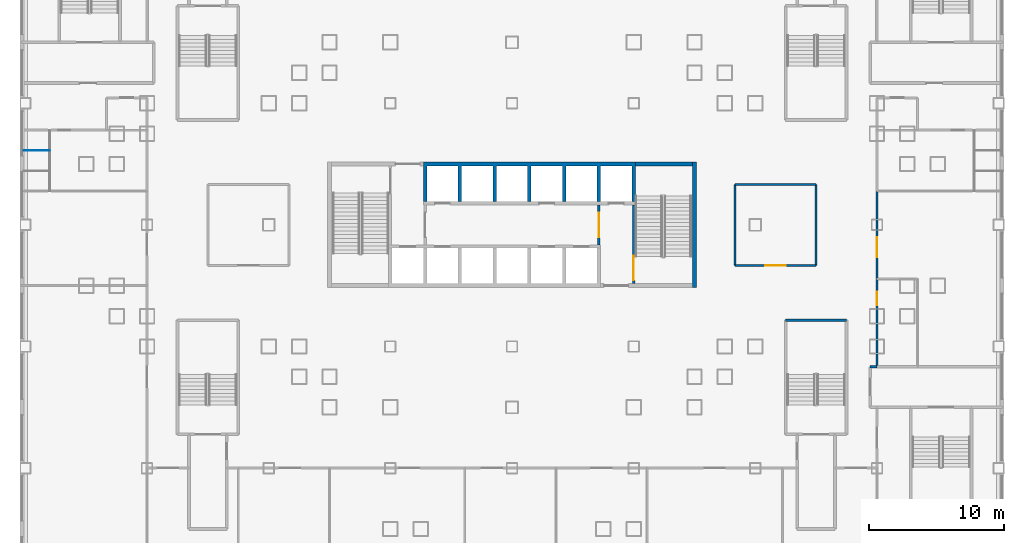
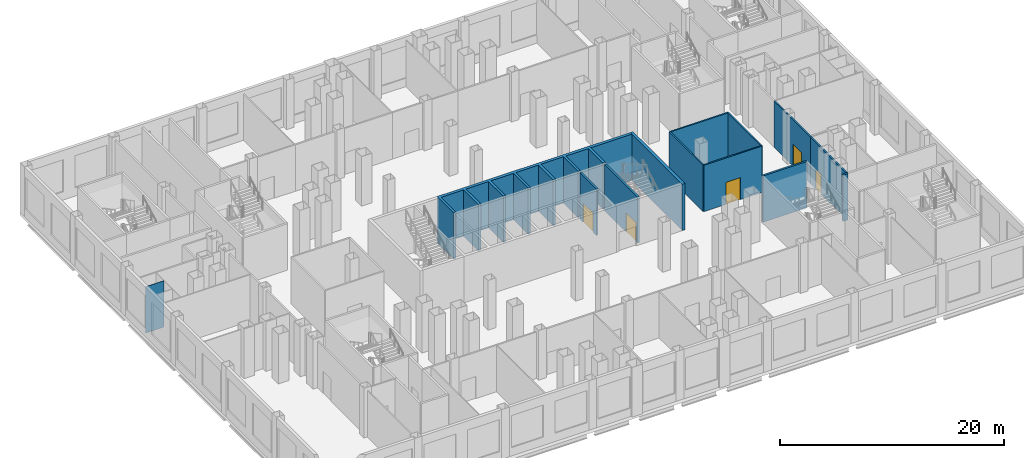
# One storey, part 5 of 27: 14 walls, 5 doors, 5 openings.
"""IFC4 building model written with IfcOpenShell, lengths in metres."""

from ifc_helpers import new_model, si_unit, direction, frame, frame_2d, origin, place, context, subcontext, project, spatial, polyline, rectangle, outline, extrude, material, layer, layer_set, type_object, element, fill, save


model = new_model("IFC4")

# Units and contexts
model_context = context("Model", 3, precision=1e-05, world=origin(), true_north=direction((0.0, 1.0)))
body_context = subcontext(model_context, "Body", "Model", "MODEL_VIEW")
ifc_project = project(units=[si_unit("LENGTHUNIT", "METRE"), si_unit("AREAUNIT", "SQUARE_METRE"), si_unit("VOLUMEUNIT", "CUBIC_METRE"), si_unit("PLANEANGLEUNIT", "RADIAN"), si_unit("MASSUNIT", "GRAM", prefix="KILO")], contexts=[model_context])

# Site, building, storey
site_placement = place(None, origin())
site = spatial("IfcSite", under=ifc_project, at=site_placement, CompositionType="ELEMENT")
building_placement = place(site_placement, origin())
building = spatial("IfcBuilding", under=site, at=building_placement, Name="Caravel Reach Hotel and Residences", CompositionType="ELEMENT")
storey_placement = place(building_placement, frame((0.0, 0.0, 6.60009765625)))
storey = spatial("IfcBuildingStorey", under=building, at=storey_placement, Name="L01", CompositionType="ELEMENT", Elevation=6.60009765625)

# Walls
ifc_material_1 = material(Name="Autoclaved aerated block wall")
ifc_layer_1 = layer(ifc_material_1, 0.199951171875)
ifc_layer_set_1 = layer_set([ifc_layer_1], Name="Compartment wall 200 mm EI 120")
wall_type_1 = type_object("IfcWallType", Name="Compartment wall 200 mm EI 120", PredefinedType="PARTITIONING", material=ifc_layer_set_1)
wall_1_placement = place(storey_placement, frame((58.0, 16.5, 0.0), z_axis=(0.0, 0.0, 1.0), x_axis=(1.0, 0.0, 0.0)))
element("IfcWall", 1, at=wall_1_placement, inside=storey, type_object=wall_type_1, Name="L01 wall w062", PredefinedType="PARTITIONING", context=body_context, shape_type="SweptSolid", body=[
    extrude(rectangle(XDim=0.5, YDim=0.199951171875, at=frame_2d((0.25, 0.0))), origin(), (0.0, 0.0, 1.0), 5.0498046875),
])
ifc_material_2 = material(Name="Concrete C60", Category="concrete")
ifc_layer_2 = layer(ifc_material_2, 0.300048828125)
ifc_layer_set_2 = layer_set([ifc_layer_2], Name="Core wall 300 mm EI 120")
wall_type_2 = type_object("IfcWallType", Name="Core wall 300 mm EI 120", PredefinedType="SHEAR", material=ifc_layer_set_2)
wall_2_placement = place(storey_placement, frame((40.625, 31.5, 0.0), z_axis=(0.0, 0.0, 1.0), x_axis=(1.0, 0.0, 0.0)))
element("IfcWall", 2, at=wall_2_placement, inside=storey, type_object=wall_type_2, Name="L01 core wall N2", PredefinedType="SHEAR", context=body_context, shape_type="SweptSolid", body=[
    extrude(rectangle(XDim=4.22509765625, YDim=0.300048828125, at=frame_2d((2.112548828125, 0.0))), origin(), (0.0, 0.0, 1.0), 5.0498046875),
])
wall_3_placement = place(storey_placement, frame((45.0, 22.35009765625, 0.0), z_axis=(0.0, 0.0, 1.0), x_axis=(0.0, 1.0, 0.0)))
element("IfcWall", 3, at=wall_3_placement, inside=storey, type_object=wall_type_2, Name="L01 core wall E", PredefinedType="SHEAR", context=body_context, shape_type="SweptSolid", body=[
    extrude(rectangle(XDim=9.2998046875, YDim=0.300048828125, at=frame_2d((4.64990234375, 0.0))), origin(), (0.0, 0.0, 1.0), 5.0498046875),
])

# Wall, opening, door
ifc_material_3 = material(Name="Gypsum board on steel stud, fire-rated", Category="steel")
ifc_layer_3 = layer(ifc_material_3, 0.14990234375)
ifc_layer_set_3 = layer_set([ifc_layer_3], Name="Corridor wall 150 mm EI 60")
wall_type_3 = type_object("IfcWallType", Name="Corridor wall 150 mm EI 60", PredefinedType="PARTITIONING", material=ifc_layer_set_3)
wall_4_placement = place(storey_placement, frame((48.0, 24.0, 0.0), z_axis=(0.0, 0.0, 1.0), x_axis=(1.0, 0.0, 0.0)))
wall_4 = element("IfcWall", 4, at=wall_4_placement, inside=storey, type_object=wall_type_3, Name="L01 wall w002", PredefinedType="PARTITIONING", context=body_context, shape_type="SweptSolid", body=[
    extrude(rectangle(XDim=6.0, YDim=0.14990234375, at=frame_2d((3.0, 0.0))), origin(), (0.0, 0.0, 1.0), 5.0498046875),
])
opening_1_placement = place(wall_4_placement, frame((2.25, 0.0, 0.0)))
opening_1 = element("IfcOpeningElement", 5, at=opening_1_placement, cuts=wall_4, Name="Opening D01-052", PredefinedType="OPENING", context=body_context, shape_type="SweptSolid", body=[
    extrude(rectangle(XDim=1.5, YDim=2.39990234375, at=frame_2d((0.75, 1.199951171875))), frame((0.0, 0.0849609375, 0.0), z_axis=(0.0, -1.0, 0.0), x_axis=(1.0, 0.0, 0.0)), (0.0, 0.0, 1.0), 0.169921875),
])
ifc_material_4 = material(Name="Timber and steel door leaf", Category="steel")
door_type_1 = type_object("IfcDoorType", Name="Shopfront door 1500 x 2400", OperationType="DOUBLE_DOOR_SINGLE_SWING", PredefinedType="DOOR", material=ifc_material_4)
door_1_placement = place(opening_1_placement, origin())
door_1 = element("IfcDoor", 6, at=door_1_placement, inside=storey, type_object=door_type_1, Name="door D01-052", OperationType="DOUBLE_DOOR_SINGLE_SWING", OverallHeight=2.39990234375, OverallWidth=1.5, PredefinedType="DOOR", context=body_context, shape_type="SweptSolid", body=[
    extrude(rectangle(XDim=1.5, YDim=2.39990234375, at=frame_2d((0.75, 1.199951171875))), frame((0.0, 0.02490234375, 0.0), z_axis=(0.0, -1.0, 0.0), x_axis=(1.0, 0.0, 0.0)), (0.0, 0.0, 1.0), 0.050048828125),
])
fill(opening_1, door_1)

# Walls
for number, where, z_axis, x_axis, name in (
    (7, (48.0, 30.0, 0.0), (0.0, 0.0, 1.0), (1.0, 0.0, 0.0), "L01 wall w004"),
    (8, (48.0, 24.0, 0.0), (0.0, 0.0, 1.0), (0.0, 1.0, 0.0), "L01 wall w030"),
    (9, (54.0, 24.0, 0.0), (0.0, 0.0, 1.0), (0.0, 1.0, 0.0), "L01 wall w031"),
):
    element("IfcWall", number, at=place(storey_placement, frame(where, z_axis=z_axis, x_axis=x_axis)), inside=storey, type_object=wall_type_3, Name=name, PredefinedType="PARTITIONING", context=body_context, shape_type="SweptSolid", body=[
        extrude(rectangle(XDim=6.0, YDim=0.14990234375, at=frame_2d((3.0, 0.0))), origin(), (0.0, 0.0, 1.0), 5.0498046875),
    ])

# Wall, opening, door
wall_5_placement = place(storey_placement, frame((58.5, 16.5, 0.0), z_axis=(0.0, 0.0, 1.0), x_axis=(0.0, 1.0, 0.0)))
wall_5 = element("IfcWall", 10, at=wall_5_placement, inside=storey, type_object=wall_type_3, Name="L01 wall w032", PredefinedType="PARTITIONING", context=body_context, shape_type="SweptSolid", body=[
    extrude(rectangle(XDim=6.5, YDim=0.14990234375, at=frame_2d((3.25, 0.0))), origin(), (0.0, 0.0, 1.0), 5.0498046875),
])
opening_2_placement = place(wall_5_placement, frame((4.550048828125, 0.0, 0.0)))
opening_2 = element("IfcOpeningElement", 11, at=opening_2_placement, cuts=wall_5, Name="Opening D01-028", PredefinedType="OPENING", context=body_context, shape_type="SweptSolid", body=[
    extrude(rectangle(XDim=1.0, YDim=2.10009765625, at=frame_2d((0.5, 1.050048828125))), frame((0.0, 0.0849609375, 0.0), z_axis=(0.0, -1.0, 0.0), x_axis=(1.0, 0.0, 0.0)), (0.0, 0.0, 1.0), 0.169921875),
])
ifc_material_5 = material(Name="Steel fire door leaf", Category="steel")
door_type_2 = type_object("IfcDoorType", Name="Fire door 1000 x 2100 EI 60", OperationType="SINGLE_SWING_LEFT", PredefinedType="DOOR", material=ifc_material_5)
door_2_placement = place(opening_2_placement, origin())
door_2 = element("IfcDoor", 12, at=door_2_placement, inside=storey, type_object=door_type_2, Name="door D01-028", OperationType="SINGLE_SWING_RIGHT", OverallHeight=2.10009765625, OverallWidth=1.0, PredefinedType="DOOR", context=body_context, shape_type="SweptSolid", body=[
    extrude(rectangle(XDim=1.0, YDim=2.10009765625, at=frame_2d((0.5, 1.050048828125))), frame((0.0, 0.02490234375, 0.0), z_axis=(0.0, -1.0, 0.0), x_axis=(1.0, 0.0, 0.0)), (0.0, 0.0, 1.0), 0.050048828125),
])
fill(opening_2, door_2)

wall_6_placement = place(storey_placement, frame((58.5, 23.0, 0.0), z_axis=(0.0, 0.0, 1.0), x_axis=(0.0, 1.0, 0.0)))
wall_6 = element("IfcWall", 13, at=wall_6_placement, inside=storey, type_object=wall_type_3, Name="L01 wall w034", PredefinedType="PARTITIONING", context=body_context, shape_type="SweptSolid", body=[
    extrude(rectangle(XDim=6.5, YDim=0.14990234375, at=frame_2d((3.25, 0.0))), origin(), (0.0, 0.0, 1.0), 5.0498046875),
])
opening_3_placement = place(wall_6_placement, frame((1.60009765625, 0.0, 0.0)))
opening_3 = element("IfcOpeningElement", 14, at=opening_3_placement, cuts=wall_6, Name="Opening D01-035", PredefinedType="OPENING", context=body_context, shape_type="SweptSolid", body=[
    extrude(rectangle(XDim=1.5, YDim=2.39990234375, at=frame_2d((0.75, 1.199951171875))), frame((0.0, 0.0849609375, 0.0), z_axis=(0.0, -1.0, 0.0), x_axis=(1.0, 0.0, 0.0)), (0.0, 0.0, 1.0), 0.169921875),
])
door_3_placement = place(opening_3_placement, origin())
door_3 = element("IfcDoor", 15, at=door_3_placement, inside=storey, type_object=door_type_1, Name="door D01-035", OperationType="DOUBLE_DOOR_SINGLE_SWING", OverallHeight=2.39990234375, OverallWidth=1.5, PredefinedType="DOOR", context=body_context, shape_type="SweptSolid", body=[
    extrude(rectangle(XDim=1.5, YDim=2.39990234375, at=frame_2d((0.75, 1.199951171875))), frame((0.0, 0.02490234375, 0.0), z_axis=(0.0, -1.0, 0.0), x_axis=(1.0, 0.0, 0.0)), (0.0, 0.0, 1.0), 0.050048828125),
])
fill(opening_3, door_3)

ifc_material_6 = material(Name="Autoclaved aerated block wall")
ifc_layer_4 = layer(ifc_material_6, 0.199951171875)
ifc_layer_set_4 = layer_set([ifc_layer_4], Name="Fire lobby wall 200 mm EI 120")
wall_type_4 = type_object("IfcWallType", Name="Fire lobby wall 200 mm EI 120", PredefinedType="PARTITIONING", material=ifc_layer_set_4)
wall_7_placement = place(storey_placement, frame((37.928466796875, 25.52490234375, 0.0), z_axis=(0.0, 0.0, 1.0), x_axis=(0.0, 1.0, 0.0)))
wall_7 = element("IfcWall", 16, at=wall_7_placement, inside=storey, type_object=wall_type_4, Name="L01 lobby E wall", PredefinedType="PARTITIONING", context=body_context, shape_type="SweptSolid", body=[
    extrude(rectangle(XDim=2.9501953125, YDim=0.199951171875, at=frame_2d((1.47509765625, 0.0))), origin(), (0.0, 0.0, 1.0), 5.0498046875),
])
opening_4_placement = place(wall_7_placement, frame((0.574951171875, 0.0, 0.0)))
opening_4 = element("IfcOpeningElement", 17, at=opening_4_placement, cuts=wall_7, Name="Opening D01-011", PredefinedType="OPENING", context=body_context, shape_type="SweptSolid", body=[
    extrude(rectangle(XDim=1.800048828125, YDim=2.10009765625, at=frame_2d((0.89990234375, 1.050048828125))), frame((0.0, 0.10986328125, 0.0), z_axis=(0.0, -1.0, 0.0), x_axis=(1.0, 0.0, 0.0)), (0.0, 0.0, 1.0), 0.219970703125),
])
ifc_material_7 = material(Name="Steel fire door leaf", Category="steel")
door_type_3 = type_object("IfcDoorType", Name="Fire lobby door pair 1800 x 2100 EI 90", OperationType="DOUBLE_DOOR_SINGLE_SWING", PredefinedType="DOOR", material=ifc_material_7)
door_4_placement = place(opening_4_placement, origin())
door_4 = element("IfcDoor", 18, at=door_4_placement, inside=storey, type_object=door_type_3, Name="lobby E door pair", OperationType="DOUBLE_DOOR_SINGLE_SWING", OverallHeight=2.10009765625, OverallWidth=1.800048828125, PredefinedType="DOOR", context=body_context, shape_type="SweptSolid", body=[
    extrude(rectangle(XDim=1.800048828125, YDim=2.10009765625, at=frame_2d((0.89990234375, 1.050048828125))), frame((0.0, 0.02490234375, 0.0), z_axis=(0.0, -1.0, 0.0), x_axis=(1.0, 0.0, 0.0)), (0.0, 0.0, 1.0), 0.050048828125),
])
fill(opening_4, door_4)

# Wall
ifc_material_8 = material(Name="Concrete C60", Category="concrete")
ifc_layer_5 = layer(ifc_material_8, 0.25)
ifc_layer_set_5 = layer_set([ifc_layer_5], Name="Shaft wall 250 mm EI 120")
wall_type_5 = type_object("IfcWallType", Name="Shaft wall 250 mm EI 120", PredefinedType="SHEAR", material=ifc_layer_set_5)
wall_8_placement = place(storey_placement, origin())
element("IfcWall", 19, at=wall_8_placement, inside=storey, type_object=wall_type_5, Name="L01 lift shaft wall N1", PredefinedType="SHEAR", context=body_context, shape_type="SweptSolid", body=[
    extrude(outline(polyline([(24.946533203125, 28.72509765625), (25.196533203125, 28.72509765625), (25.196533203125, 31.35009765625), (27.517822265625, 31.35009765625), (27.517822265625, 28.72509765625), (27.767822265625, 28.72509765625), (27.767822265625, 31.35009765625), (30.08935546875, 31.35009765625), (30.08935546875, 28.72509765625), (30.33935546875, 28.72509765625), (30.33935546875, 31.35009765625), (32.66064453125, 31.35009765625), (32.66064453125, 28.72509765625), (32.91064453125, 28.72509765625), (32.91064453125, 31.35009765625), (35.232177734375, 31.35009765625), (35.232177734375, 28.72509765625), (35.482177734375, 28.72509765625), (35.482177734375, 31.35009765625), (37.803466796875, 31.35009765625), (37.803466796875, 28.72509765625), (38.053466796875, 28.72509765625), (38.053466796875, 31.35009765625), (40.375, 31.35009765625), (40.375, 28.72509765625), (40.625, 28.72509765625), (40.625, 31.64990234375), (24.946533203125, 31.64990234375), (24.946533203125, 28.72509765625)])), origin(), (0.0, 0.0, 1.0), 5.0498046875),
])

# Wall, opening, door
ifc_material_9 = material(Name="Concrete C60", Category="concrete")
ifc_layer_6 = layer(ifc_material_9, 0.199951171875)
ifc_layer_set_6 = layer_set([ifc_layer_6], Name="Stair enclosure wall 200 mm EI 120")
wall_type_6 = type_object("IfcWallType", Name="Stair enclosure wall 200 mm EI 120", PredefinedType="SHEAR", material=ifc_layer_set_6)
wall_9_placement = place(storey_placement, frame((40.5, 22.64990234375, 0.0), z_axis=(0.0, 0.0, 1.0), x_axis=(0.0, 1.0, 0.0)))
wall_9 = element("IfcWall", 20, at=wall_9_placement, inside=storey, type_object=wall_type_6, Name="L01 stair B wall", PredefinedType="SHEAR", context=body_context, shape_type="SweptSolid", body=[
    extrude(rectangle(XDim=5.8251953125, YDim=0.199951171875, at=frame_2d((2.91259765625, 0.0))), origin(), (0.0, 0.0, 1.0), 5.0498046875),
])
opening_5_placement = place(wall_9_placement, frame((0.25, 0.0, 0.0)))
opening_5 = element("IfcOpeningElement", 21, at=opening_5_placement, cuts=wall_9, Name="Opening D01-009", PredefinedType="OPENING", context=body_context, shape_type="SweptSolid", body=[
    extrude(rectangle(XDim=1.800048828125, YDim=2.10009765625, at=frame_2d((0.89990234375, 1.050048828125))), frame((0.0, 0.10986328125, 0.0), z_axis=(0.0, -1.0, 0.0), x_axis=(1.0, 0.0, 0.0)), (0.0, 0.0, 1.0), 0.219970703125),
])
ifc_material_10 = material(Name="Steel fire door leaf", Category="steel")
door_type_4 = type_object("IfcDoorType", Name="Stair door pair 1800 x 2100 EI 90", OperationType="DOUBLE_DOOR_SINGLE_SWING", PredefinedType="DOOR", material=ifc_material_10)
door_5_placement = place(opening_5_placement, origin())
door_5 = element("IfcDoor", 22, at=door_5_placement, inside=storey, type_object=door_type_4, Name="stair B door pair", OperationType="DOUBLE_DOOR_SINGLE_SWING", OverallHeight=2.10009765625, OverallWidth=1.800048828125, PredefinedType="DOOR", context=body_context, shape_type="SweptSolid", body=[
    extrude(rectangle(XDim=1.800048828125, YDim=2.10009765625, at=frame_2d((0.89990234375, 1.050048828125))), frame((0.0, 0.02490234375, 0.0), z_axis=(0.0, -1.0, 0.0), x_axis=(1.0, 0.0, 0.0)), (0.0, 0.0, 1.0), 0.050048828125),
])
fill(opening_5, door_5)

# Walls
wall_10_placement = place(storey_placement, frame((51.75, 19.949951171875, 0.0), z_axis=(0.0, 0.0, 1.0), x_axis=(1.0, 0.0, 0.0)))
element("IfcWall", 23, at=wall_10_placement, inside=storey, type_object=wall_type_6, Name="L01 wall w100", PredefinedType="SHEAR", context=body_context, shape_type="SweptSolid", body=[
    extrude(rectangle(XDim=4.5, YDim=0.199951171875, at=frame_2d((2.25, 0.0))), origin(), (0.0, 0.0, 1.0), 5.0498046875),
])
ifc_material_11 = material(Name="Laminate cubicle panel")
ifc_layer_7 = layer(ifc_material_11, 0.0400390625)
ifc_layer_set_7 = layer_set([ifc_layer_7], Name="WC cubicle partition 40 mm")
wall_type_7 = type_object("IfcWallType", Name="WC cubicle partition 40 mm", PredefinedType="PARTITIONING", material=ifc_layer_set_7)
wall_11_placement = place(storey_placement, frame((-4.6201171875, 32.5, 0.0), z_axis=(0.0, 0.0, 1.0), x_axis=(1.0, 0.0, 0.0)))
element("IfcWall", 24, at=wall_11_placement, inside=storey, type_object=wall_type_7, Name="L01 wall cbr04.d2", PredefinedType="PARTITIONING", context=body_context, shape_type="SweptSolid", body=[
    extrude(rectangle(XDim=1.920166015625, YDim=0.0400390625, at=frame_2d((0.9599609375, 0.0))), origin(), (0.0, 0.0, 1.0), 5.0498046875),
])

save(model, "model.ifc")
